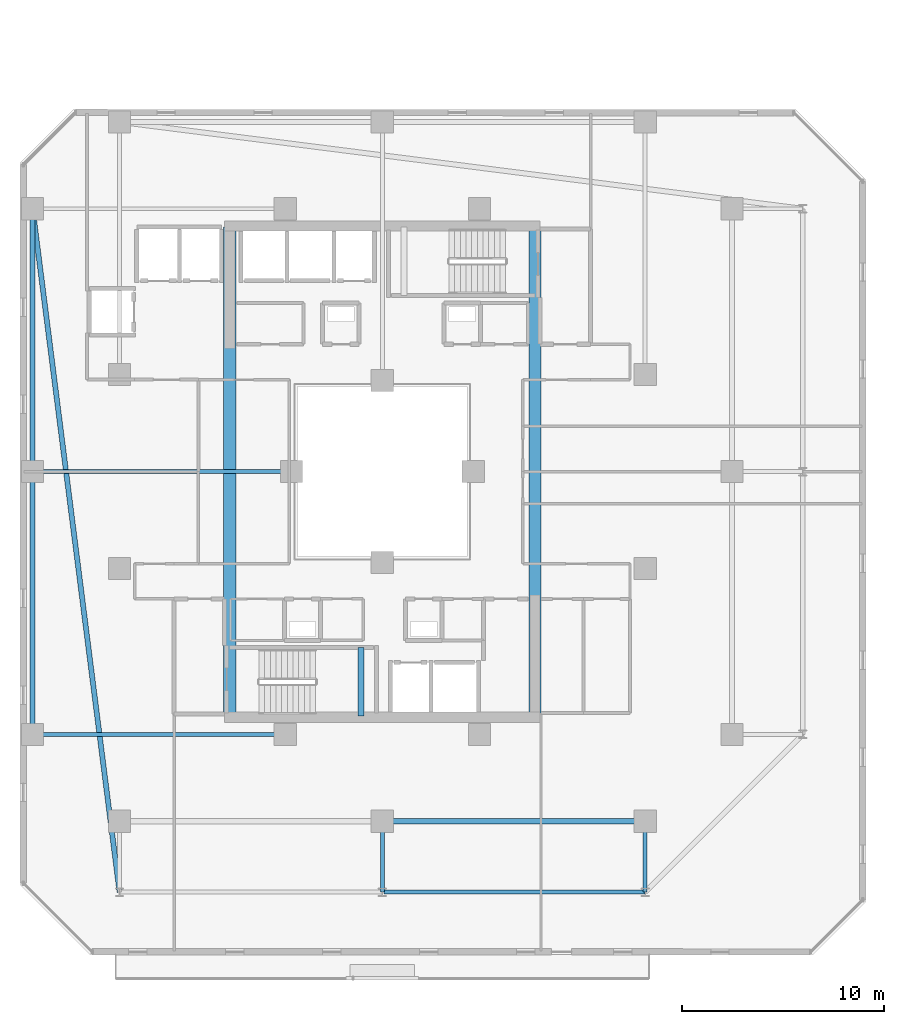
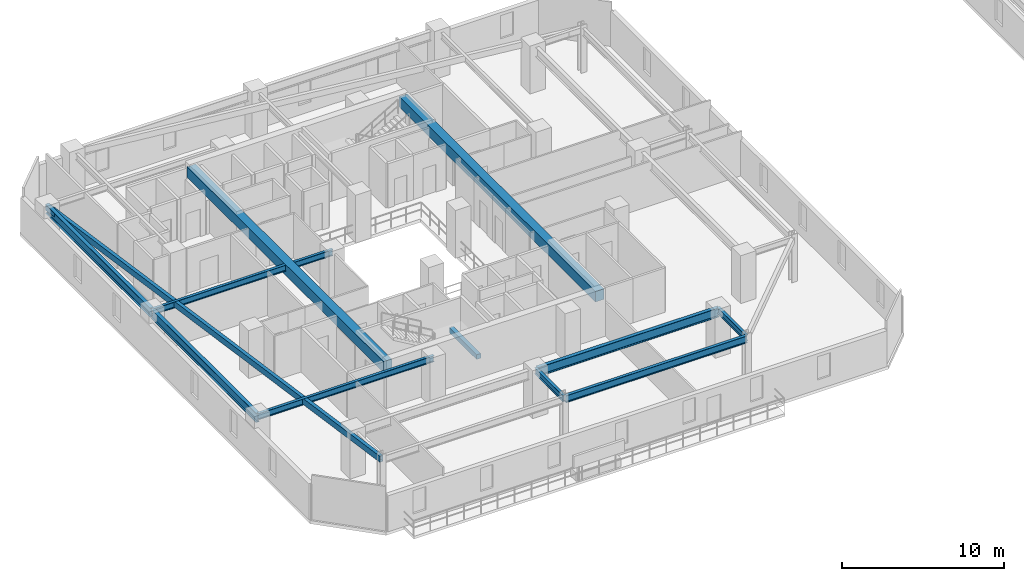
# One storey, part 4 of 33: 12 beams.
"""IFC4 building model written with IfcOpenShell, lengths in metres."""

from ifc_helpers import new_model, si_unit, direction, frame, origin, origin_2d, place, context, subcontext, project, spatial, rectangle, hollow_rectangle, i_section, extrude, material, material_profile, profile_set, type_object, element, save


model = new_model("IFC4")

# Units and contexts
model_context = context("Model", 3, precision=1e-05, world=origin(), true_north=direction((0.0, 1.0)))
body_context = subcontext(model_context, "Body", "Model", "MODEL_VIEW")
ifc_project = project(units=[si_unit("LENGTHUNIT", "METRE"), si_unit("AREAUNIT", "SQUARE_METRE"), si_unit("VOLUMEUNIT", "CUBIC_METRE"), si_unit("PLANEANGLEUNIT", "RADIAN"), si_unit("MASSUNIT", "GRAM", prefix="KILO")], contexts=[model_context])

# Site, building, storey
site_placement = place(None, origin())
site = spatial("IfcSite", under=ifc_project, at=site_placement, CompositionType="ELEMENT")
building_placement = place(site_placement, origin())
building = spatial("IfcBuilding", under=site, at=building_placement, Name="Thornwick Lancets Civic Towers", CompositionType="ELEMENT")
storey_placement = place(building_placement, frame((0.0, 0.0, 159.89990234375)))
storey = spatial("IfcBuildingStorey", under=building, at=storey_placement, Name="L42", CompositionType="ELEMENT", Elevation=159.89990234375)

# Beams
ifc_material_1 = material(Name="Concrete C60/75", Category="concrete")
ifc_material_profile_1 = material_profile(ifc_material_1, rectangle(XDim=0.60009765625, YDim=0.800048828125, at=origin_2d()), Name="RC 600x800")
ifc_profile_set_1 = profile_set([ifc_material_profile_1], Name="Concrete C60/75")
beam_type_1 = type_object("IfcBeamType", Name="BM_COUP_RC800", PredefinedType="BEAM", material=ifc_profile_set_1)
for number, where, z_axis, x_axis, name in (
    (1, (33.050048828125, 14.89990234375, 2.960205078125), (0.0, 1.0, 0.0), (-1.0, 0.0, 0.0), "CB-L42-A1"),
    (2, (17.949951171875, 14.89990234375, 2.960205078125), (0.0, 1.0, 0.0), (-1.0, 0.0, 0.0), "CB-L42-A2"),
):
    element("IfcBeam", number, at=place(storey_placement, frame(where, z_axis=z_axis, x_axis=x_axis)), inside=storey, type_object=beam_type_1, Name=name, PredefinedType="BEAM", context=body_context, shape_type="SweptSolid", body=[
        extrude(rectangle(XDim=0.60009765625, YDim=0.800048828125, at=origin_2d()), origin(), (0.0, 0.0, 1.0), 24.2001953125),
    ])
ifc_material_2 = material(Name="Steel S355JR", Category="steel")
ifc_material_profile_2 = material_profile(ifc_material_2, i_section(OverallWidth=0.210693359375, OverallDepth=0.53955078125, WebThickness=0.01171875, FlangeThickness=0.018798828125, FilletRadius=0.0126953125, at=origin_2d()), Name="UKB 533x210x109")
ifc_profile_set_2 = profile_set([ifc_material_profile_2], Name="Steel S355JR")
beam_type_2 = type_object("IfcBeamType", Name="BM_EDGE_533_109", PredefinedType="SPANDREL", material=ifc_profile_set_2)
beam_1_placement = place(storey_placement, frame((25.580078125, 6.199951171875, 3.09033203125), z_axis=(1.0, 0.0, 0.0), x_axis=(0.0, 1.0, 0.0)))
element("IfcBeam", 3, at=beam_1_placement, inside=storey, type_object=beam_type_2, Name="BM-EDGE-L42-A-S0-2", PredefinedType="SPANDREL", context=body_context, shape_type="SweptSolid", body=[
    extrude(i_section(OverallWidth=0.210693359375, OverallDepth=0.53955078125, WebThickness=0.01171875, FlangeThickness=0.018798828125, FilletRadius=0.0126953125, at=origin_2d()), origin(), (0.0, 0.0, 1.0), 12.919921875),
])
ifc_material_profile_3 = material_profile(ifc_material_2, i_section(OverallWidth=0.255859375, OverallDepth=0.69287109375, WebThickness=0.014404296875, FlangeThickness=0.023681640625, FilletRadius=0.01513671875, at=origin_2d()), Name="UKB 686x254x170")
ifc_profile_set_3 = profile_set([ifc_material_profile_3], Name="Steel S355JR")
beam_type_3 = type_object("IfcBeamType", Name="BM_GIRD_686_170", PredefinedType="BEAM", material=ifc_profile_set_3)
beam_2_placement = place(storey_placement, frame((25.580078125, 9.699951171875, 3.013671875), z_axis=(1.0, 0.0, 0.0), x_axis=(0.0, 1.0, 0.0)))
element("IfcBeam", 4, at=beam_2_placement, inside=storey, type_object=beam_type_3, Name="BM-SPINE-L42-A-1-2", PredefinedType="BEAM", context=body_context, shape_type="SweptSolid", body=[
    extrude(i_section(OverallWidth=0.255859375, OverallDepth=0.69287109375, WebThickness=0.014404296875, FlangeThickness=0.023681640625, FilletRadius=0.01513671875, at=origin_2d()), origin(), (0.0, 0.0, 1.0), 12.919921875),
])
beam_3_placement = place(storey_placement, frame((8.199951171875, 14.0, 3.013671875), z_axis=(0.0, 1.0, 0.0), x_axis=(-1.0, 0.0, 0.0)))
element("IfcBeam", 5, at=beam_3_placement, inside=storey, type_object=beam_type_3, Name="BM-SPINE-L42-A-9-10", PredefinedType="BEAM", context=body_context, shape_type="SweptSolid", body=[
    extrude(i_section(OverallWidth=0.255859375, OverallDepth=0.69287109375, WebThickness=0.014404296875, FlangeThickness=0.023681640625, FilletRadius=0.01513671875, at=origin_2d()), origin(), (0.0, 0.0, 1.0), 13.0),
])
beam_4_placement = place(storey_placement, frame((8.199951171875, 27.080078125, 3.013671875), z_axis=(0.0, 1.0, 0.0), x_axis=(-1.0, 0.0, 0.0)))
element("IfcBeam", 6, at=beam_4_placement, inside=storey, type_object=beam_type_3, Name="BM-SPINE-L42-A-10-11", PredefinedType="BEAM", context=body_context, shape_type="SweptSolid", body=[
    extrude(i_section(OverallWidth=0.255859375, OverallDepth=0.69287109375, WebThickness=0.014404296875, FlangeThickness=0.023681640625, FilletRadius=0.01513671875, at=origin_2d()), origin(), (0.0, 0.0, 1.0), 12.919921875),
])
ifc_material_profile_4 = material_profile(ifc_material_2, i_section(OverallWidth=0.19287109375, OverallDepth=0.46728515625, WebThickness=0.011474609375, FlangeThickness=0.01953125, FilletRadius=0.01025390625, at=origin_2d()), Name="UKB 457x191x98")
ifc_profile_set_4 = profile_set([ifc_material_profile_4], Name="Steel S355JR")
beam_type_4 = type_object("IfcBeamType", Name="BM_JOIST_457_98", PredefinedType="JOIST", material=ifc_profile_set_4)
for number, where, z_axis, x_axis, name in (
    (7, (25.5, 9.699951171875, 3.12646484375), (0.0, -1.0, 0.0), (1.0, 0.0, 0.0), "BM-RAD-L42-A02"),
    (8, (38.5, 9.699951171875, 3.12646484375), (0.0, -1.0, 0.0), (1.0, 0.0, 0.0), "BM-RAD-L42-A03"),
):
    element("IfcBeam", number, at=place(storey_placement, frame(where, z_axis=z_axis, x_axis=x_axis)), inside=storey, type_object=beam_type_4, Name=name, PredefinedType="JOIST", context=body_context, shape_type="SweptSolid", body=[
        extrude(i_section(OverallWidth=0.19287109375, OverallDepth=0.46728515625, WebThickness=0.011474609375, FlangeThickness=0.01953125, FilletRadius=0.01025390625, at=origin_2d()), origin(), (0.0, 0.0, 1.0), 3.5),
    ])
beam_5_placement = place(storey_placement, frame((20.699951171875, 14.0, 3.12646484375), z_axis=(-1.0, 0.0, 0.0), x_axis=(0.0, -1.0, 0.0)))
element("IfcBeam", 9, at=beam_5_placement, inside=storey, type_object=beam_type_4, Name="BM-RADIN-L42-A10", PredefinedType="JOIST", context=body_context, shape_type="SweptSolid", body=[
    extrude(i_section(OverallWidth=0.19287109375, OverallDepth=0.46728515625, WebThickness=0.011474609375, FlangeThickness=0.01953125, FilletRadius=0.01025390625, at=origin_2d()), origin(), (0.0, 0.0, 1.0), 12.5),
])
beam_6_placement = place(storey_placement, frame((21.0, 27.0, 3.12646484375), z_axis=(-1.0, 0.0, 0.0), x_axis=(0.0, -1.0, 0.0)))
element("IfcBeam", 10, at=beam_6_placement, inside=storey, type_object=beam_type_4, Name="BM-RADIN-L42-A11", PredefinedType="JOIST", context=body_context, shape_type="SweptSolid", body=[
    extrude(i_section(OverallWidth=0.19287109375, OverallDepth=0.46728515625, WebThickness=0.011474609375, FlangeThickness=0.01953125, FilletRadius=0.01025390625, at=origin_2d()), origin(), (0.0, 0.0, 1.0), 12.800048828125),
])
ifc_material_profile_5 = material_profile(ifc_material_2, hollow_rectangle(XDim=0.25, YDim=0.449951171875, WallThickness=0.01611328125, at=origin_2d()), Name="RHS 450x250x16")
ifc_profile_set_5 = profile_set([ifc_material_profile_5], Name="Steel S355JR")
beam_type_5 = type_object("IfcBeamType", Name="BM_RING_RHS450", PredefinedType="BEAM", material=ifc_profile_set_5)
beam_7_placement = place(storey_placement, frame((8.199951171875, 40.0, 3.135009765625), z_axis=(0.126202998662, -0.992004437051, 0.0), x_axis=(0.992004437051, 0.126202998662, 0.0)))
element("IfcBeam", 11, at=beam_7_placement, inside=storey, type_object=beam_type_5, Name="BM-CHAMF-L42-A-C3", PredefinedType="BEAM", context=body_context, shape_type="SweptSolid", body=[
    extrude(hollow_rectangle(XDim=0.25, YDim=0.449951171875, WallThickness=0.01611328125, at=origin_2d()), origin(), (0.0, 0.0, 1.0), 34.072509765625),
])
ifc_material_3 = material(Name="Concrete C40/50", Category="concrete")
ifc_material_profile_6 = material_profile(ifc_material_3, rectangle(XDim=0.300048828125, YDim=0.35009765625, at=origin_2d()), Name="RC 300x350")
ifc_profile_set_6 = profile_set([ifc_material_profile_6], Name="Concrete C40/50")
beam_type_6 = type_object("IfcBeamType", Name="BM_STAIR_LDG", PredefinedType="BEAM", material=ifc_profile_set_6)
beam_8_placement = place(storey_placement, frame((24.43505859375, 14.89990234375, 1.378173828125), z_axis=(0.0, 1.0, 0.0), x_axis=(-1.0, 0.0, 0.0)))
element("IfcBeam", 12, at=beam_8_placement, inside=storey, type_object=beam_type_6, Name="L42 ST-A1 Landing Support Beam 1", PredefinedType="BEAM", context=body_context, shape_type="SweptSolid", body=[
    extrude(rectangle(XDim=0.300048828125, YDim=0.35009765625, at=origin_2d()), origin(), (0.0, 0.0, 1.0), 3.400146484375),
])

save(model, "model.ifc")
